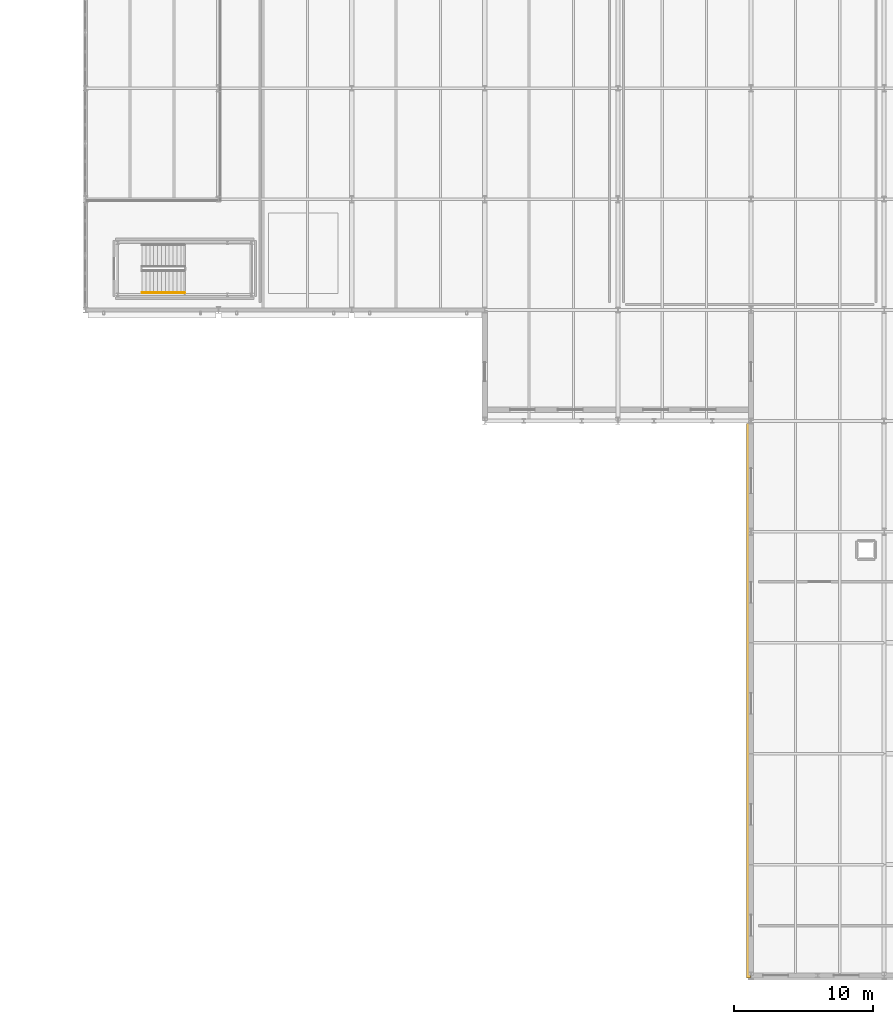
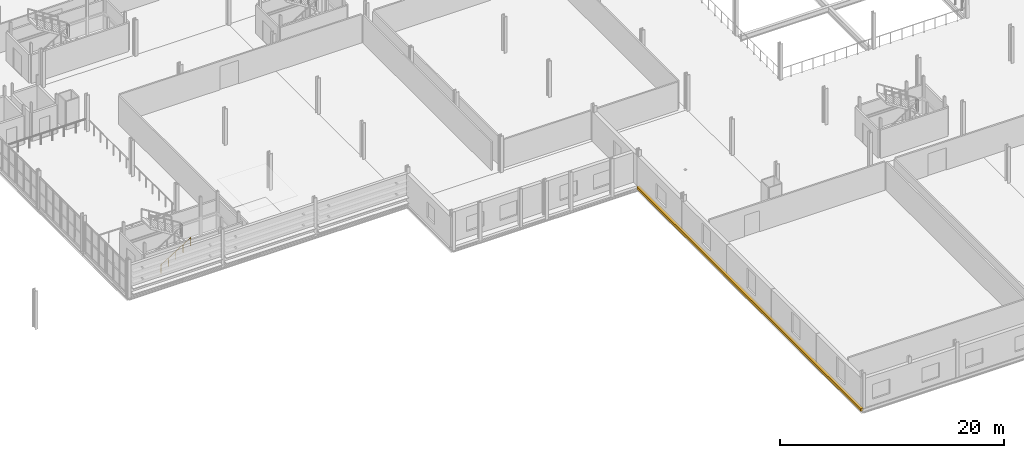
# One storey, part 67 of 78: 1 covering, 1 railing.
"""IFC4 building model written with IfcOpenShell, lengths in metres."""

from ifc_helpers import new_model, si_unit, direction, frame, frame_2d, origin, origin_2d, place, context, subcontext, project, spatial, rectangle, circle, extrude, material, layer, layer_set, type_object, element, save


model = new_model("IFC4")

# Units and contexts
model_context = context("Model", 3, precision=1e-05, world=origin(), true_north=direction((0.0, 1.0)))
body_context = subcontext(model_context, "Body", "Model", "MODEL_VIEW")
ifc_project = project(units=[si_unit("LENGTHUNIT", "METRE"), si_unit("AREAUNIT", "SQUARE_METRE"), si_unit("VOLUMEUNIT", "CUBIC_METRE"), si_unit("PLANEANGLEUNIT", "RADIAN"), si_unit("MASSUNIT", "GRAM", prefix="KILO")], contexts=[model_context])

# Site, building, storey
site_placement = place(None, origin())
site = spatial("IfcSite", under=ifc_project, at=site_placement, CompositionType="ELEMENT")
building_placement = place(site_placement, origin())
building = spatial("IfcBuilding", under=site, at=building_placement, Name="Alderhovde Museum", CompositionType="ELEMENT")
storey_placement = place(building_placement, frame((0.0, 0.0, 4.5)))
storey = spatial("IfcBuildingStorey", under=building, at=storey_placement, Name="L01", CompositionType="ELEMENT", Elevation=4.5)

# Covering
ifc_material_1 = material(Name="Carved Jura Limestone Classical Cornice Moulding", Category="masonry")
ifc_layer = layer(ifc_material_1, 0.280029296875)
ifc_layer_set = layer_set([ifc_layer], Name="Carved Jura Limestone Classical Cornice Moulding")
covering_type = type_object("IfcCoveringType", Name="COV-CORNICE-STONE", PredefinedType="MOLDING", material=ifc_layer_set)
covering_placement = place(storey_placement, frame((67.02001953125, -0.179931640625, -0.199951171875), z_axis=(0.0, 0.0, 1.0), x_axis=(0.0, 1.0, 0.0)))
element("IfcCovering", 1, at=covering_placement, inside=storey, type_object=covering_type, Name="L01 Classical Beaux-Arts Limestone Cornice 6", PredefinedType="MOLDING", context=body_context, shape_type="SweptSolid", body=[
    extrude(rectangle(XDim=39.97998046875, YDim=0.280029296875, at=frame_2d((19.989990234375, 0.0))), origin(), (0.0, 0.0, 1.0), 0.280029296875),
])

# Railing
ifc_material_2 = material(Name="Brushed Stainless Steel Handrail", Category="steel")
railing_type = type_object("IfcRailingType", Name="RL-HANDRAIL-900", PredefinedType="HANDRAIL", material=ifc_material_2)
railing_placement = place(storey_placement, frame((23.280029296875, 49.25, 0.175048828125)))
element("IfcRailing", 2, at=railing_placement, inside=storey, type_object=railing_type, Name="L01 ST1 stair handrail 1", PredefinedType="HANDRAIL", context=body_context, shape_type="SweptSolid", body=[
    extrude(circle(Radius=0.02392578125, at=origin_2d()), frame((0.0, 0.0, 0.8759765625), z_axis=(0.847998304005, 0.0, 0.529998940003), x_axis=(0.0, 1.0, 0.0)), (0.0, 0.0, 1.0), 3.632080078125),
    extrude(circle(Radius=0.02099609375, at=origin_2d()), origin(), (0.0, 0.0, 1.0), 0.851806640625),
    extrude(circle(Radius=0.02099609375, at=origin_2d()), frame((0.77001953125, 0.0, 0.481201171875)), (0.0, 0.0, 1.0), 0.851806640625),
    extrude(circle(Radius=0.02099609375, at=origin_2d()), frame((1.5400390625, 0.0, 0.96240234375)), (0.0, 0.0, 1.0), 0.851806640625),
    extrude(circle(Radius=0.02099609375, at=origin_2d()), frame((2.31005859375, 0.0, 1.44384765625)), (0.0, 0.0, 1.0), 0.851806640625),
    extrude(circle(Radius=0.02099609375, at=origin_2d()), frame((3.080078125, 0.0, 1.925048828125)), (0.0, 0.0, 1.0), 0.851806640625),
])

save(model, "model.ifc")
